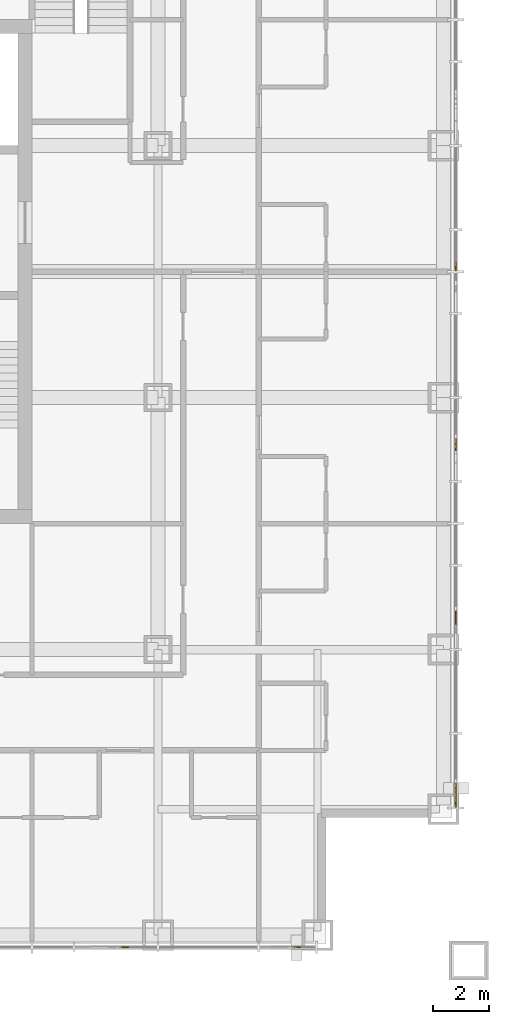
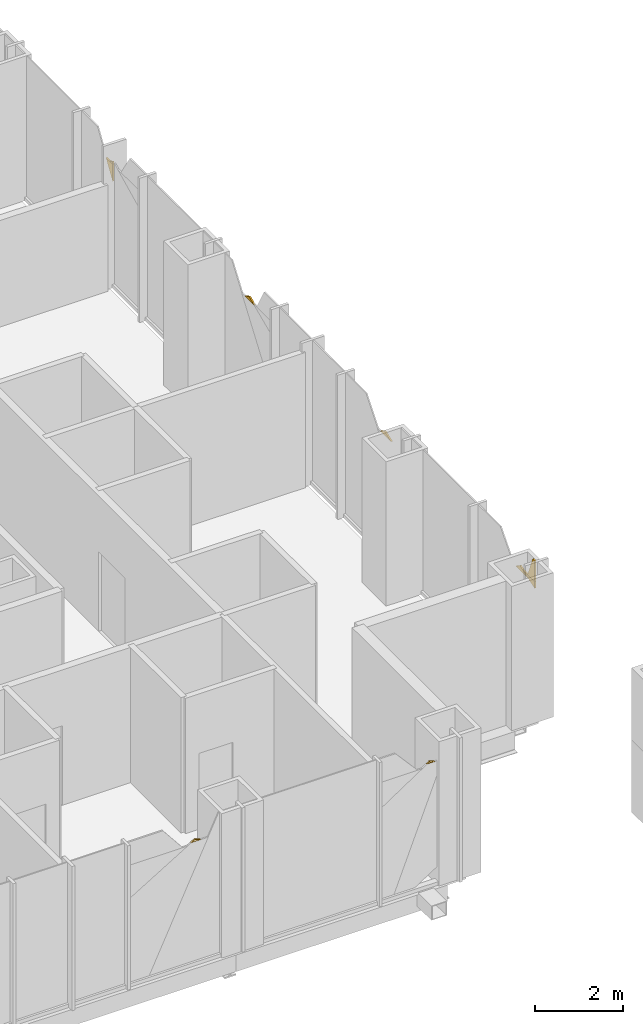
# One storey, part 19 of 23: 9 coverings.
"""IFC4 building model written with IfcOpenShell, lengths in metres."""

from ifc_helpers import new_model, si_unit, direction, frame, origin, place, context, subcontext, project, spatial, polyline, outline, extrude, material, layer, layer_set, type_object, element, save


model = new_model("IFC4")

# Units and contexts
model_context = context("Model", 3, precision=1e-05, world=origin(), true_north=direction((0.0, 1.0)))
body_context = subcontext(model_context, "Body", "Model", "MODEL_VIEW")
ifc_project = project(units=[si_unit("LENGTHUNIT", "METRE"), si_unit("AREAUNIT", "SQUARE_METRE"), si_unit("VOLUMEUNIT", "CUBIC_METRE"), si_unit("PLANEANGLEUNIT", "RADIAN"), si_unit("MASSUNIT", "GRAM", prefix="KILO")], contexts=[model_context])

# Site, building, storey
site_placement = place(None, origin())
site = spatial("IfcSite", under=ifc_project, at=site_placement, CompositionType="ELEMENT")
building_placement = place(site_placement, origin())
building = spatial("IfcBuilding", under=site, at=building_placement, Name="Malebo Sky Hospital", CompositionType="ELEMENT")
storey_placement = place(building_placement, frame((0.0, 0.0, 168.0)))
storey = spatial("IfcBuildingStorey", under=building, at=storey_placement, Name="L40", CompositionType="ELEMENT", Elevation=168.0)

# Coverings
ifc_material = material(Name="Anodised aluminium, natural silver insulated infill panel", Category="aluminium")
ifc_layer = layer(ifc_material, 0.0400390625)
ifc_layer_set = layer_set([ifc_layer], Name="BRACE INFILL PANEL 40")
covering_type = type_object("IfcCoveringType", Name="BRACE INFILL PANEL 40", PredefinedType="CLADDING", material=ifc_layer_set)
covering_1_placement = place(storey_placement, frame((78.4912109375, 37.864990234375, 3.413330078125), z_axis=(0.0, 0.0, 1.0), x_axis=(-1.0, 0.0, 0.0)))
element("IfcCovering", 1, at=covering_1_placement, inside=storey, type_object=covering_type, Name="Brace infill panel 1.4", PredefinedType="CLADDING", context=body_context, shape_type="SweptSolid", body=[
    extrude(outline(polyline([(-0.100341796875, 0.0), (0.10009765625, 0.0), (0.031982421875, 0.04541015625), (-0.100341796875, 0.0)])), frame((0.0, 0.02001953125, 0.0), z_axis=(0.0, -1.0, 0.0), x_axis=(1.0, 0.0, 0.0)), (0.0, 0.0, 1.0), 0.0400390625),
])
covering_2_placement = place(storey_placement, frame((72.334716796875, 37.864990234375, 3.3974609375), z_axis=(0.0, 0.0, 1.0), x_axis=(-1.0, 0.0, 0.0)))
element("IfcCovering", 2, at=covering_2_placement, inside=storey, type_object=covering_type, Name="Brace infill panel 3.4", PredefinedType="CLADDING", context=body_context, shape_type="SweptSolid", body=[
    extrude(outline(polyline([(-0.12841796875, 0.0), (0.12841796875, 0.0), (0.028076171875, 0.060791015625), (-0.12841796875, 0.0)])), frame((0.0, 0.02001953125, 0.0), z_axis=(0.0, -1.0, 0.0), x_axis=(1.0, 0.0, 0.0)), (0.0, 0.0, 1.0), 0.0400390625),
])
covering_3_placement = place(storey_placement, frame((84.135009765625, 62.18798828125, 2.8935546875), z_axis=(0.0, 0.0, 1.0), x_axis=(0.0, -1.0, 0.0)))
element("IfcCovering", 3, at=covering_3_placement, inside=storey, type_object=covering_type, Name="Brace infill panel 8.1", PredefinedType="CLADDING", context=body_context, shape_type="SweptSolid", body=[
    extrude(outline(polyline([(0.150390625, 0.0), (0.150390625, 0.474365234375), (-0.150390625, 0.474365234375), (0.150390625, 0.0)])), frame((0.0, 0.02001953125, 0.0), z_axis=(0.0, -1.0, 0.0), x_axis=(1.0, 0.0, 0.0)), (0.0, 0.0, 1.0), 0.0400390625),
])
covering_4_placement = place(storey_placement, frame((84.135009765625, 62.110107421875, 3.36767578125), z_axis=(0.0, 0.0, 1.0), x_axis=(0.0, -1.0, 0.0)))
element("IfcCovering", 4, at=covering_4_placement, inside=storey, type_object=covering_type, Name="Brace infill panel 8.2", PredefinedType="CLADDING", context=body_context, shape_type="SweptSolid", body=[
    extrude(outline(polyline([(-0.07275390625, 0.0), (0.072509765625, 0.0), (0.072509765625, 0.071533203125), (-0.07275390625, 0.0)])), frame((0.0, 0.02001953125, 0.0), z_axis=(0.0, -1.0, 0.0), x_axis=(1.0, 0.0, 0.0)), (0.0, 0.0, 1.0), 0.0400390625),
])
covering_5_placement = place(storey_placement, frame((84.135009765625, 55.822998046875, 3.3544921875), z_axis=(0.0, 0.0, 1.0), x_axis=(0.0, -1.0, 0.0)))
element("IfcCovering", 5, at=covering_5_placement, inside=storey, type_object=covering_type, Name="Brace infill panel 11.4", PredefinedType="CLADDING", context=body_context, shape_type="SweptSolid", body=[
    extrude(outline(polyline([(-0.212646484375, 0.0), (0.212646484375, 0.0), (-0.023681640625, 0.103515625), (-0.212646484375, 0.0)])), frame((0.0, 0.02001953125, 0.0), z_axis=(0.0, -1.0, 0.0), x_axis=(1.0, 0.0, 0.0)), (0.0, 0.0, 1.0), 0.0400390625),
])
covering_6_placement = place(storey_placement, frame((84.135009765625, 49.639404296875, 3.342041015625), z_axis=(0.0, 0.0, 1.0), x_axis=(0.0, -1.0, 0.0)))
element("IfcCovering", 6, at=covering_6_placement, inside=storey, type_object=covering_type, Name="Brace infill panel 14.4", PredefinedType="CLADDING", context=body_context, shape_type="SweptSolid", body=[
    extrude(outline(polyline([(-0.245849609375, 0.0), (0.245849609375, 0.0), (-0.053955078125, 0.1162109375), (-0.245849609375, 0.0)])), frame((0.0, 0.02001953125, 0.0), z_axis=(0.0, -1.0, 0.0), x_axis=(1.0, 0.0, 0.0)), (0.0, 0.0, 1.0), 0.0400390625),
])
covering_7_placement = place(storey_placement, frame((84.135009765625, 43.141845703125, 3.231201171875), z_axis=(0.0, 0.0, 1.0), x_axis=(0.0, -1.0, 0.0)))
element("IfcCovering", 7, at=covering_7_placement, inside=storey, type_object=covering_type, Name="Brace infill panel 16.2", PredefinedType="CLADDING", context=body_context, shape_type="SweptSolid", body=[
    extrude(outline(polyline([(0.2666015625, 0.0), (0.2666015625, 0.18212890625), (-0.2666015625, 0.18212890625), (0.2666015625, 0.0)])), frame((0.0, 0.02001953125, 0.0), z_axis=(0.0, -1.0, 0.0), x_axis=(1.0, 0.0, 0.0)), (0.0, 0.0, 1.0), 0.0400390625),
])
covering_8_placement = place(storey_placement, frame((84.135009765625, 43.449951171875, 3.3310546875), z_axis=(0.0, 0.0, 1.0), x_axis=(0.0, -1.0, 0.0)))
element("IfcCovering", 8, at=covering_8_placement, inside=storey, type_object=covering_type, Name="Brace infill panel 16.3", PredefinedType="CLADDING", context=body_context, shape_type="SweptSolid", body=[
    extrude(outline(polyline([(-0.283203125, 0.0), (0.283203125, 0.0), (-0.0908203125, 0.127685546875), (-0.283203125, 0.0)])), frame((0.0, 0.02001953125, 0.0), z_axis=(0.0, -1.0, 0.0), x_axis=(1.0, 0.0, 0.0)), (0.0, 0.0, 1.0), 0.0400390625),
])
covering_9_placement = place(storey_placement, frame((84.135009765625, 43.035400390625, 3.413330078125), z_axis=(0.0, 0.0, 1.0), x_axis=(0.0, -1.0, 0.0)))
element("IfcCovering", 9, at=covering_9_placement, inside=storey, type_object=covering_type, Name="Brace infill panel 16.4", PredefinedType="CLADDING", context=body_context, shape_type="SweptSolid", body=[
    extrude(outline(polyline([(-0.160400390625, 0.0), (0.160400390625, 0.0), (0.160400390625, 0.57666015625), (0.06298828125, 0.57666015625), (-0.160400390625, 0.0)])), frame((0.0, 0.02001953125, 0.0), z_axis=(0.0, -1.0, 0.0), x_axis=(1.0, 0.0, 0.0)), (0.0, 0.0, 1.0), 0.0400390625),
])

save(model, "model.ifc")
